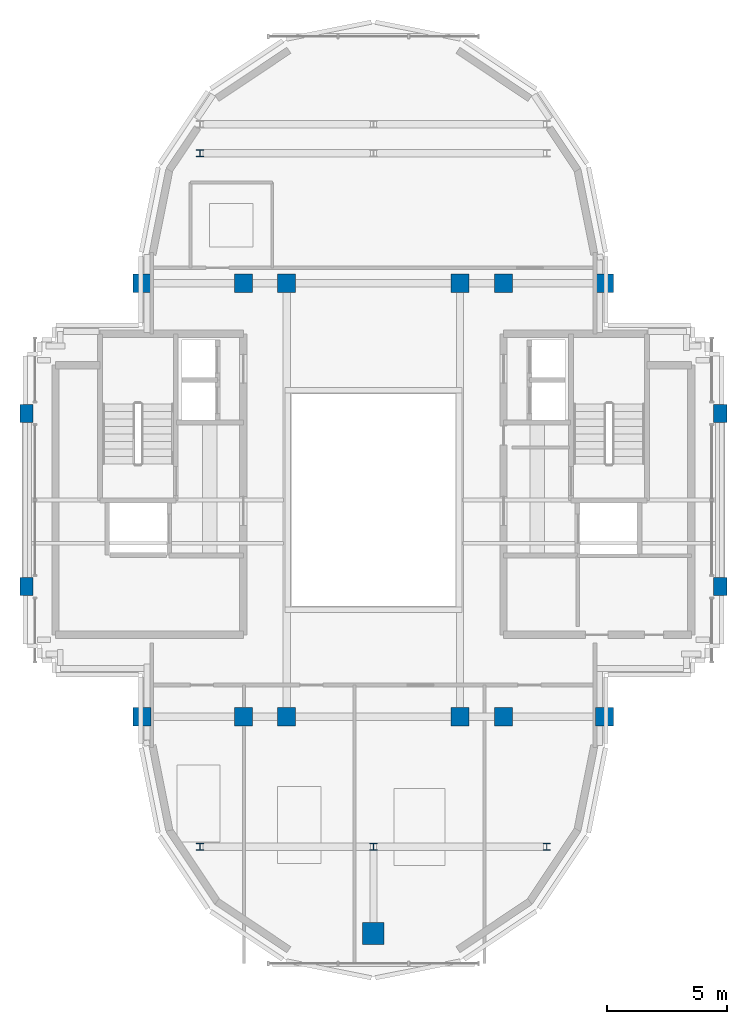
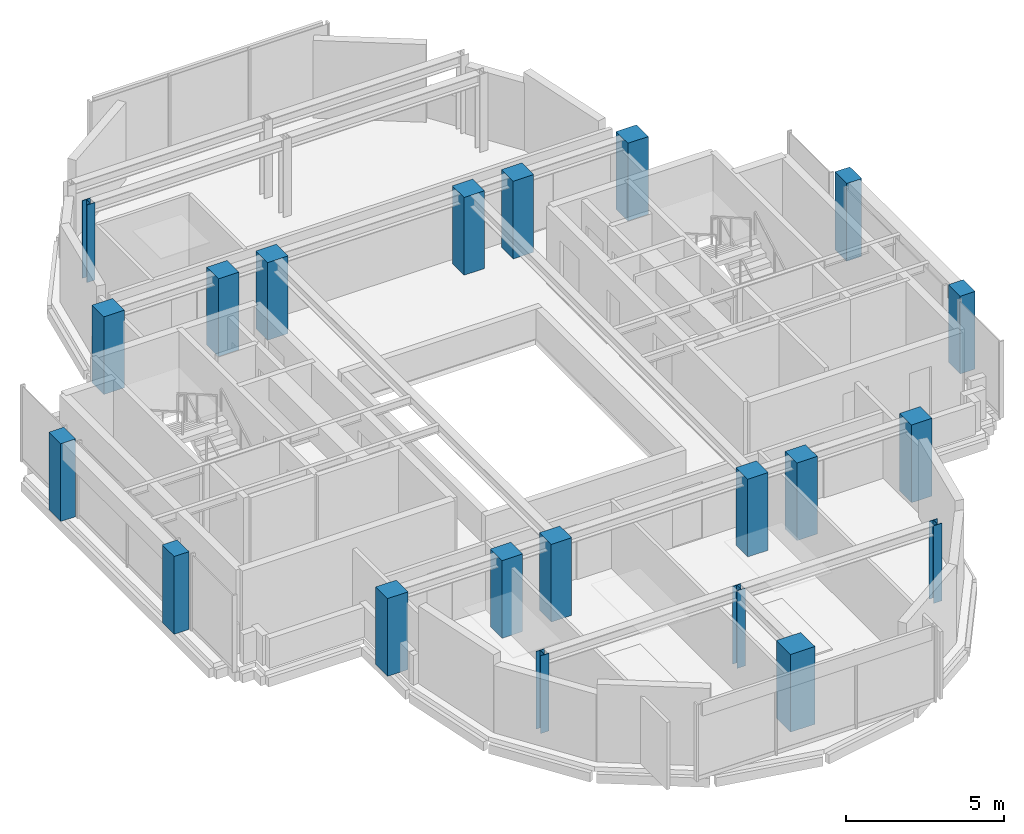
# One storey, part 1 of 10: 21 columns.
"""IFC4 building model written with IfcOpenShell, lengths in metres."""

from ifc_helpers import new_model, si_unit, direction, frame, origin, origin_2d, place, context, subcontext, project, spatial, rectangle, i_section, extrude, source, transform, mapped, material, material_profile, profile_set, type_object, element, save


model = new_model("IFC4")

# Units and contexts
model_context = context("Model", 3, precision=1e-05, world=origin(), true_north=direction((0.0, 1.0)))
body_context = subcontext(model_context, "Body", "Model", "MODEL_VIEW")
ifc_project = project(units=[si_unit("LENGTHUNIT", "METRE"), si_unit("AREAUNIT", "SQUARE_METRE"), si_unit("VOLUMEUNIT", "CUBIC_METRE"), si_unit("PLANEANGLEUNIT", "RADIAN"), si_unit("MASSUNIT", "GRAM", prefix="KILO")], contexts=[model_context])

# Site, building, storey
site_placement = place(None, origin())
site = spatial("IfcSite", under=ifc_project, at=site_placement, CompositionType="ELEMENT")
building_placement = place(site_placement, origin())
building = spatial("IfcBuilding", under=site, at=building_placement, Name="Keilestroom Media Tower", CompositionType="ELEMENT")
storey_placement = place(building_placement, frame((0.0, 0.0, 262.0)))
storey = spatial("IfcBuildingStorey", under=building, at=storey_placement, Name="L73", CompositionType="ELEMENT", Elevation=262.0)

# Columns
ifc_material_1 = material(Name="Precast concrete C40/50", Category="concrete")
ifc_material_profile_1 = material_profile(ifc_material_1, rectangle(XDim=0.550048828125, YDim=0.75, at=origin_2d()), Name="PC 750x550")
ifc_profile_set_1 = profile_set([ifc_material_profile_1], Name="Precast concrete C40/50")
column_type_1 = type_object("IfcColumnType", Name="Structural-Column-PC-750x550", PredefinedType="COLUMN", material=ifc_profile_set_1)
shared_shape_1 = source(origin(), body_context, "Body", "SweptSolid", [
    extrude(rectangle(XDim=0.550048828125, YDim=0.75, at=origin_2d()), origin(), (0.0, 0.0, 1.0), 3.010009765625),
])
for number, where, z_axis, x_axis, name in (
    (1, (-14.39990234375, -3.60009765625, 0.0), (0.0, 0.0, 1.0), (1.0, 0.0, 0.0), "L73 Column PC-3 (-14.4,-3.6)"),
    (2, (-14.39990234375, 3.60009765625, 0.0), (0.0, 0.0, 1.0), (1.0, 0.0, 0.0), "L73 Column PC-3 (-14.4,+3.6)"),
    (3, (14.39990234375, -3.60009765625, 0.0), (0.0, 0.0, 1.0), (1.0, 0.0, 0.0), "L73 Column PC-3 (+14.4,-3.6)"),
    (4, (14.39990234375, 3.60009765625, 0.0), (0.0, 0.0, 1.0), (1.0, 0.0, 0.0), "L73 Column PC-3 (+14.4,+3.6)"),
):
    element("IfcColumn", number, at=place(storey_placement, frame(where, z_axis=z_axis, x_axis=x_axis)), inside=storey, type_object=column_type_1, Name=name, PredefinedType="COLUMN", context=body_context, shape_type="MappedRepresentation", body=[
        mapped(shared_shape_1, transform((0.0, 0.0, 0.0), x_axis=(1.0, 0.0, 0.0), y_axis=(0.0, 1.0, 0.0), z_axis=(0.0, 0.0, 1.0), scale=1.0)),
    ])
ifc_material_2 = material(Name="Concrete C55/67", Category="concrete")
ifc_material_profile_2 = material_profile(ifc_material_2, rectangle(XDim=0.89990234375, YDim=0.89990234375, at=origin_2d()), Name="RC 900x900")
ifc_profile_set_2 = profile_set([ifc_material_profile_2], Name="Concrete C55/67")
column_type_2 = type_object("IfcColumnType", Name="Structural-Column-RC-900x900", PredefinedType="COLUMN", material=ifc_profile_set_2)
shared_shape_2 = source(origin(), body_context, "Body", "SweptSolid", [
    extrude(rectangle(XDim=0.89990234375, YDim=0.89990234375, at=origin_2d()), origin(), (0.0, 0.0, 1.0), 3.010009765625),
])
column_placement = place(storey_placement, frame((0.0, -18.0, 0.0), z_axis=(0.0, 0.0, 1.0), x_axis=(1.0, 0.0, 0.0)))
element("IfcColumn", 5, at=column_placement, inside=storey, type_object=column_type_2, Name="L73 Column MC-4 (+0.0,-18.0)", PredefinedType="COLUMN", context=body_context, shape_type="MappedRepresentation", body=[
    mapped(shared_shape_2, transform((0.0, 0.0, 0.0), x_axis=(1.0, 0.0, 0.0), y_axis=(0.0, 1.0, 0.0), z_axis=(0.0, 0.0, 1.0), scale=1.0)),
])
ifc_material_3 = material(Name="Concrete C50/60", Category="concrete")
ifc_material_profile_3 = material_profile(ifc_material_3, rectangle(XDim=0.75, YDim=0.75, at=origin_2d()), Name="RC 750x750")
ifc_profile_set_3 = profile_set([ifc_material_profile_3], Name="Concrete C50/60")
column_type_3 = type_object("IfcColumnType", Name="Structural-Column-RC-750x750", PredefinedType="COLUMN", material=ifc_profile_set_3)
shared_shape_3 = source(origin(), body_context, "Body", "SweptSolid", [
    extrude(rectangle(XDim=0.75, YDim=0.75, at=origin_2d()), origin(), (0.0, 0.0, 1.0), 3.010009765625),
])
for number, where, z_axis, x_axis, name in (
    (6, (-9.60009765625, -9.0, 0.0), (0.0, 0.0, 1.0), (1.0, 0.0, 0.0), "L73 Column MC-5 (-9.6,-9.0)"),
    (7, (-9.60009765625, 9.0, 0.0), (0.0, 0.0, 1.0), (1.0, 0.0, 0.0), "L73 Column MC-5 (-9.6,+9.0)"),
    (8, (-5.39990234375, -9.0, 0.0), (0.0, 0.0, 1.0), (1.0, 0.0, 0.0), "L73 Column MC-5 (-5.4,-9.0)"),
    (9, (-5.39990234375, 9.0, 0.0), (0.0, 0.0, 1.0), (1.0, 0.0, 0.0), "L73 Column MC-5 (-5.4,+9.0)"),
    (10, (-3.60009765625, -9.0, 0.0), (0.0, 0.0, 1.0), (1.0, 0.0, 0.0), "L73 Column MC-5 (-3.6,-9.0)"),
    (11, (-3.60009765625, 9.0, 0.0), (0.0, 0.0, 1.0), (1.0, 0.0, 0.0), "L73 Column MC-5 (-3.6,+9.0)"),
    (12, (3.60009765625, -9.0, 0.0), (0.0, 0.0, 1.0), (1.0, 0.0, 0.0), "L73 Column MC-5 (+3.6,-9.0)"),
    (13, (3.60009765625, 9.0, 0.0), (0.0, 0.0, 1.0), (1.0, 0.0, 0.0), "L73 Column MC-5 (+3.6,+9.0)"),
    (14, (5.39990234375, -9.0, 0.0), (0.0, 0.0, 1.0), (1.0, 0.0, 0.0), "L73 Column MC-5 (+5.4,-9.0)"),
    (15, (5.39990234375, 9.0, 0.0), (0.0, 0.0, 1.0), (1.0, 0.0, 0.0), "L73 Column MC-5 (+5.4,+9.0)"),
    (16, (9.60009765625, -9.0, 0.0), (0.0, 0.0, 1.0), (1.0, 0.0, 0.0), "L73 Column MC-5 (+9.6,-9.0)"),
    (17, (9.60009765625, 9.0, 0.0), (0.0, 0.0, 1.0), (1.0, 0.0, 0.0), "L73 Column MC-5 (+9.6,+9.0)"),
):
    element("IfcColumn", number, at=place(storey_placement, frame(where, z_axis=z_axis, x_axis=x_axis)), inside=storey, type_object=column_type_3, Name=name, PredefinedType="COLUMN", context=body_context, shape_type="MappedRepresentation", body=[
        mapped(shared_shape_3, transform((0.0, 0.0, 0.0), x_axis=(1.0, 0.0, 0.0), y_axis=(0.0, 1.0, 0.0), z_axis=(0.0, 0.0, 1.0), scale=1.0)),
    ])
ifc_material_4 = material(Name="Steel S355", Category="steel")
ifc_material_profile_4 = material_profile(ifc_material_4, i_section(OverallWidth=0.300048828125, OverallDepth=0.300048828125, WebThickness=0.010986328125, FlangeThickness=0.01904296875, at=origin_2d()), Name="HEB 300")
ifc_profile_set_4 = profile_set([ifc_material_profile_4], Name="Steel S355")
column_type_4 = type_object("IfcColumnType", Name="Structural-Column-HEB-300", PredefinedType="COLUMN", material=ifc_profile_set_4)
shared_shape_4 = source(origin(), body_context, "Body", "SweptSolid", [
    extrude(i_section(OverallWidth=0.300048828125, OverallDepth=0.300048828125, WebThickness=0.010986328125, FlangeThickness=0.01904296875, at=origin_2d()), origin(), (0.0, 0.0, 1.0), 3.010009765625),
])
for number, where, z_axis, x_axis, name in (
    (18, (-7.199951171875, -14.39990234375, 0.0), (0.0, 0.0, 1.0), (1.0, 0.0, 0.0), "L73 Column SC-5 (-7.2,-14.4)"),
    (19, (-7.199951171875, 14.39990234375, 0.0), (0.0, 0.0, 1.0), (1.0, 0.0, 0.0), "L73 Column SC-5 (-7.2,+14.4)"),
    (20, (0.0, -14.39990234375, 0.0), (0.0, 0.0, 1.0), (1.0, 0.0, 0.0), "L73 Column SC-5 (+0.0,-14.4)"),
    (21, (7.199951171875, -14.39990234375, 0.0), (0.0, 0.0, 1.0), (1.0, 0.0, 0.0), "L73 Column SC-5 (+7.2,-14.4)"),
):
    element("IfcColumn", number, at=place(storey_placement, frame(where, z_axis=z_axis, x_axis=x_axis)), inside=storey, type_object=column_type_4, Name=name, PredefinedType="COLUMN", context=body_context, shape_type="MappedRepresentation", body=[
        mapped(shared_shape_4, transform((0.0, 0.0, 0.0), x_axis=(1.0, 0.0, 0.0), y_axis=(0.0, 1.0, 0.0), z_axis=(0.0, 0.0, 1.0), scale=1.0)),
    ])

save(model, "model.ifc")
